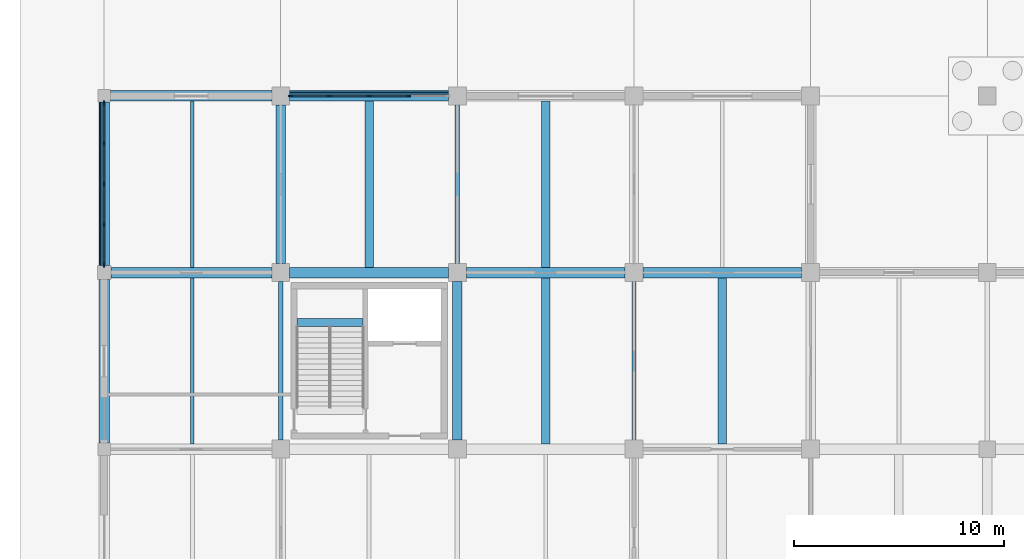
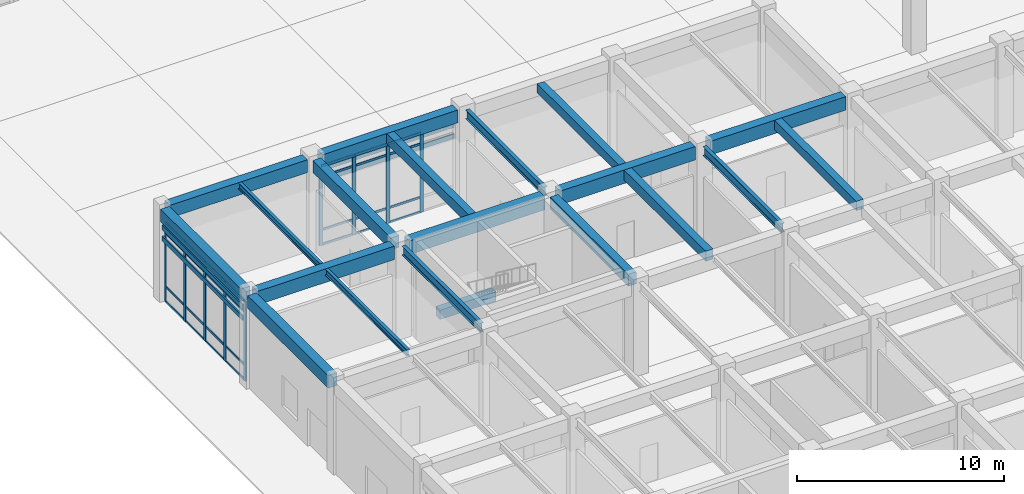
# One storey, part 14 of 91: 41 members, 20 beams, 2 elements without a shape of their own.
"""IFC4 building model written with IfcOpenShell, lengths in metres."""

from ifc_helpers import new_model, si_unit, direction, frame, origin, origin_2d, place, context, subcontext, project, spatial, rectangle, i_section, extrude, material, layer, layer_set, material_profile, profile_set, type_object, element, aggregate, save


model = new_model("IFC4")

# Units and contexts
model_context = context("Model", 3, precision=1e-05, world=origin(), true_north=direction((0.0, 1.0)))
body_context = subcontext(model_context, "Body", "Model", "MODEL_VIEW")
ifc_project = project(units=[si_unit("LENGTHUNIT", "METRE"), si_unit("AREAUNIT", "SQUARE_METRE"), si_unit("VOLUMEUNIT", "CUBIC_METRE"), si_unit("PLANEANGLEUNIT", "RADIAN"), si_unit("MASSUNIT", "GRAM", prefix="KILO")], contexts=[model_context])

# Site, building, storey
site_placement = place(None, origin())
site = spatial("IfcSite", under=ifc_project, at=site_placement, CompositionType="ELEMENT")
building_placement = place(site_placement, origin())
building = spatial("IfcBuilding", under=site, at=building_placement, Name="Porcellanite Civic Hall", CompositionType="ELEMENT")
storey_placement = place(building_placement, origin())
storey = spatial("IfcBuildingStorey", under=building, at=storey_placement, Name="L00", CompositionType="ELEMENT", Elevation=0.0)

# Beams
ifc_material_1 = material(Name="Concrete N50 (50 MPa)", Category="concrete")
ifc_material_profile_1 = material_profile(ifc_material_1, rectangle(XDim=0.39990234375, YDim=0.550048828125, at=origin_2d()), Name="RC-400x550")
ifc_profile_set_1 = profile_set([ifc_material_profile_1], Name="Concrete N50 (50 MPa)")
beam_type_1 = type_object("IfcBeamType", Name="BM-RC550", PredefinedType="JOIST", material=ifc_profile_set_1)
beam_1_placement = place(storey_placement, frame((21.0, 67.449462890625, 5.22509765625), z_axis=(0.0, 1.0, 0.0), x_axis=(-1.0, 0.0, 0.0)))
element("IfcBeam", 1, at=beam_1_placement, inside=storey, type_object=beam_type_1, Name="Secondary joist L00 3-9", PredefinedType="JOIST", context=body_context, shape_type="SweptSolid", body=[
    extrude(rectangle(XDim=0.39990234375, YDim=0.550048828125, at=origin_2d()), origin(), (0.0, 0.0, 1.0), 7.901123046875),
])
beam_2_placement = place(storey_placement, frame((29.39990234375, 59.049560546875, 5.22509765625), z_axis=(0.0, 1.0, 0.0), x_axis=(-1.0, 0.0, 0.0)))
element("IfcBeam", 2, at=beam_2_placement, inside=storey, type_object=beam_type_1, Name="Secondary joist L00 4-8", PredefinedType="JOIST", context=body_context, shape_type="SweptSolid", body=[
    extrude(rectangle(XDim=0.39990234375, YDim=0.550048828125, at=origin_2d()), origin(), (0.0, 0.0, 1.0), 7.90087890625),
])
beam_3_placement = place(storey_placement, frame((9.180419921875, 64.824951171875, 2.425048828125), z_axis=(1.0, 0.0, 0.0), x_axis=(0.0, 1.0, 0.0)))
element("IfcBeam", 3, at=beam_3_placement, inside=storey, type_object=beam_type_1, Name="Stair landing beam C2 L00", PredefinedType="JOIST", context=body_context, shape_type="SweptSolid", body=[
    extrude(rectangle(XDim=0.39990234375, YDim=0.550048828125, at=origin_2d()), origin(), (0.0, 0.0, 1.0), 3.13916015625),
])
ifc_material_2 = material(Name="Concrete N50 (50 MPa)", Category="concrete")
ifc_material_profile_2 = material_profile(ifc_material_2, rectangle(XDim=0.39990234375, YDim=0.60009765625, at=origin_2d()), Name="RC-400x600")
ifc_profile_set_2 = profile_set([ifc_material_profile_2], Name="Concrete N50 (50 MPa)")
beam_type_2 = type_object("IfcBeamType", Name="BM-RC600", PredefinedType="JOIST", material=ifc_profile_set_2)
beam_4_placement = place(storey_placement, frame((12.60009765625, 67.449462890625, 5.199951171875), z_axis=(0.0, 1.0, 0.0), x_axis=(-1.0, 0.0, 0.0)))
element("IfcBeam", 4, at=beam_4_placement, inside=storey, type_object=beam_type_2, Name="Secondary joist L00 2-9", PredefinedType="JOIST", context=body_context, shape_type="SweptSolid", body=[
    extrude(rectangle(XDim=0.39990234375, YDim=0.60009765625, at=origin_2d()), origin(), (0.0, 0.0, 1.0), 7.901123046875),
])
beam_5_placement = place(storey_placement, frame((21.0, 59.049560546875, 5.199951171875), z_axis=(0.0, 1.0, 0.0), x_axis=(-1.0, 0.0, 0.0)))
element("IfcBeam", 5, at=beam_5_placement, inside=storey, type_object=beam_type_2, Name="Secondary joist L00 3-8", PredefinedType="JOIST", context=body_context, shape_type="SweptSolid", body=[
    extrude(rectangle(XDim=0.39990234375, YDim=0.60009765625, at=origin_2d()), origin(), (0.0, 0.0, 1.0), 7.90087890625),
])
ifc_material_3 = material(Name="Concrete N50 (50 MPa)", Category="concrete")
ifc_material_profile_3 = material_profile(ifc_material_3, rectangle(XDim=0.449951171875, YDim=0.699951171875, at=origin_2d()), Name="RC-450x700")
ifc_profile_set_3 = profile_set([ifc_material_profile_3], Name="Concrete N50 (50 MPa)")
beam_type_3 = type_object("IfcBeamType", Name="BM-RC700", PredefinedType="BEAM", material=ifc_profile_set_3)
beam_6_placement = place(storey_placement, frame((8.39990234375, 67.62451171875, 5.14990234375), z_axis=(0.0, 1.0, 0.0), x_axis=(-1.0, 0.0, 0.0)))
element("IfcBeam", 6, at=beam_6_placement, inside=storey, type_object=beam_type_3, Name="Beam Y L00 2-9", PredefinedType="BEAM", context=body_context, shape_type="SweptSolid", body=[
    extrude(rectangle(XDim=0.449951171875, YDim=0.699951171875, at=origin_2d()), origin(), (0.0, 0.0, 1.0), 7.551025390625),
])
beam_7_placement = place(storey_placement, frame((16.800048828125, 59.224609375, 5.14990234375), z_axis=(0.0, 1.0, 0.0), x_axis=(-1.0, 0.0, 0.0)))
element("IfcBeam", 7, at=beam_7_placement, inside=storey, type_object=beam_type_3, Name="Beam Y L00 3-8", PredefinedType="BEAM", context=body_context, shape_type="SweptSolid", body=[
    extrude(rectangle(XDim=0.449951171875, YDim=0.699951171875, at=origin_2d()), origin(), (0.0, 0.0, 1.0), 7.55078125),
])
ifc_material_4 = material(Name="Concrete N50 (50 MPa)", Category="concrete")
ifc_material_profile_4 = material_profile(ifc_material_4, rectangle(XDim=0.5, YDim=0.75, at=origin_2d()), Name="RC-500x750")
ifc_profile_set_4 = profile_set([ifc_material_profile_4], Name="Concrete N50 (50 MPa)")
beam_type_4 = type_object("IfcBeamType", Name="BM-RC750", PredefinedType="SPANDREL", material=ifc_profile_set_4)
beam_8_placement = place(storey_placement, frame((0.299560546875, 75.60009765625, 5.125), z_axis=(1.0, 0.0, 0.0), x_axis=(0.0, 1.0, 0.0)))
element("IfcBeam", 8, at=beam_8_placement, inside=storey, type_object=beam_type_4, Name="Beam X L00 1-10", PredefinedType="SPANDREL", context=body_context, shape_type="SweptSolid", body=[
    extrude(rectangle(XDim=0.5, YDim=0.75, at=origin_2d()), origin(), (0.0, 0.0, 1.0), 7.676025390625),
])
beam_9_placement = place(storey_placement, frame((8.824462890625, 75.60009765625, 5.125), z_axis=(1.0, 0.0, 0.0), x_axis=(0.0, 1.0, 0.0)))
element("IfcBeam", 9, at=beam_9_placement, inside=storey, type_object=beam_type_4, Name="Beam X L00 2-10", PredefinedType="SPANDREL", context=body_context, shape_type="SweptSolid", body=[
    extrude(rectangle(XDim=0.5, YDim=0.75, at=origin_2d()), origin(), (0.0, 0.0, 1.0), 7.551025390625),
])
beam_10_placement = place(storey_placement, frame((0.0, 59.099609375, 5.125), z_axis=(0.0, 1.0, 0.0), x_axis=(-1.0, 0.0, 0.0)))
element("IfcBeam", 10, at=beam_10_placement, inside=storey, type_object=beam_type_4, Name="Beam Y L00 1-8", PredefinedType="SPANDREL", context=body_context, shape_type="SweptSolid", body=[
    extrude(rectangle(XDim=0.5, YDim=0.75, at=origin_2d()), origin(), (0.0, 0.0, 1.0), 7.77587890625),
])
beam_11_placement = place(storey_placement, frame((0.0, 67.5244140625, 5.125), z_axis=(0.0, 1.0, 0.0), x_axis=(-1.0, 0.0, 0.0)))
element("IfcBeam", 11, at=beam_11_placement, inside=storey, type_object=beam_type_4, Name="Beam Y L00 1-9", PredefinedType="SPANDREL", context=body_context, shape_type="SweptSolid", body=[
    extrude(rectangle(XDim=0.5, YDim=0.75, at=origin_2d()), origin(), (0.0, 0.0, 1.0), 7.776123046875),
])
ifc_material_5 = material(Name="Concrete N50 (50 MPa)", Category="concrete")
ifc_material_profile_5 = material_profile(ifc_material_5, rectangle(XDim=0.5, YDim=0.800048828125, at=origin_2d()), Name="RC-500x800")
ifc_profile_set_5 = profile_set([ifc_material_profile_5], Name="Concrete N50 (50 MPa)")
beam_type_5 = type_object("IfcBeamType", Name="BM-RC800", PredefinedType="BEAM", material=ifc_profile_set_5)
beam_12_placement = place(storey_placement, frame((0.324462890625, 67.199951171875, 5.10009765625), z_axis=(1.0, 0.0, 0.0), x_axis=(0.0, 1.0, 0.0)))
element("IfcBeam", 12, at=beam_12_placement, inside=storey, type_object=beam_type_5, Name="Beam X L00 1-9", PredefinedType="BEAM", context=body_context, shape_type="SweptSolid", body=[
    extrude(rectangle(XDim=0.5, YDim=0.800048828125, at=origin_2d()), origin(), (0.0, 0.0, 1.0), 7.651123046875),
])
beam_13_placement = place(storey_placement, frame((8.824462890625, 67.199951171875, 5.10009765625), z_axis=(1.0, 0.0, 0.0), x_axis=(0.0, 1.0, 0.0)))
element("IfcBeam", 13, at=beam_13_placement, inside=storey, type_object=beam_type_5, Name="Beam X L00 2-9", PredefinedType="BEAM", context=body_context, shape_type="SweptSolid", body=[
    extrude(rectangle(XDim=0.5, YDim=0.800048828125, at=origin_2d()), origin(), (0.0, 0.0, 1.0), 7.551025390625),
])
beam_14_placement = place(storey_placement, frame((17.224609375, 67.199951171875, 5.10009765625), z_axis=(1.0, 0.0, 0.0), x_axis=(0.0, 1.0, 0.0)))
element("IfcBeam", 14, at=beam_14_placement, inside=storey, type_object=beam_type_5, Name="Beam X L00 3-9", PredefinedType="BEAM", context=body_context, shape_type="SweptSolid", body=[
    extrude(rectangle(XDim=0.5, YDim=0.800048828125, at=origin_2d()), origin(), (0.0, 0.0, 1.0), 7.55078125),
])
beam_15_placement = place(storey_placement, frame((25.62451171875, 67.199951171875, 5.10009765625), z_axis=(1.0, 0.0, 0.0), x_axis=(0.0, 1.0, 0.0)))
element("IfcBeam", 15, at=beam_15_placement, inside=storey, type_object=beam_type_5, Name="Beam X L00 4-9", PredefinedType="BEAM", context=body_context, shape_type="SweptSolid", body=[
    extrude(rectangle(XDim=0.5, YDim=0.800048828125, at=origin_2d()), origin(), (0.0, 0.0, 1.0), 7.551025390625),
])

# Curtain wall, members
ifc_material_6 = material(Name="Anodised aluminium and solar laminated glass", Category="aluminium")
ifc_layer = layer(ifc_material_6, 0.179931640625)
ifc_layer_set = layer_set([ifc_layer], Name="Anodised aluminium and solar laminated glass")
curtain_wall_type = type_object("IfcCurtainWallType", Name="CW-SYS05", PredefinedType="NOTDEFINED", material=ifc_layer_set)
curtain_wall_1_placement = place(storey_placement, origin())
curtain_wall_1 = element("IfcCurtainWall", 16, at=curtain_wall_1_placement, inside=storey, type_object=curtain_wall_type, Name="Curtain wall CW-004", PredefinedType="NOTDEFINED")
ifc_material_7 = material(Name="Anodised aluminium 6063-T6", Category="aluminium")
ifc_material_profile_6 = material_profile(ifc_material_7, rectangle(XDim=0.070068359375, YDim=0.199951171875, at=origin_2d()), Name="AL-70x200")
ifc_profile_set_6 = profile_set([ifc_material_profile_6], Name="Anodised aluminium 6063-T6")
member_type_1 = type_object("IfcMemberType", Name="CWM-05", PredefinedType="MULLION", material=ifc_profile_set_6)
member_1_placement = place(storey_placement, frame((0.0, 67.56103515625, 0.0), z_axis=(0.0, 0.0, 1.0), x_axis=(-1.0, 0.0, 0.0)))
member_1 = element("IfcMember", 17, at=member_1_placement, type_object=member_type_1, Name="CW-004 mullion 1", PredefinedType="MULLION", context=body_context, shape_type="SweptSolid", body=[
    extrude(rectangle(XDim=0.070068359375, YDim=0.199951171875, at=origin_2d()), origin(), (0.0, 0.0, 1.0), 4.699951171875),
])
member_2_placement = place(storey_placement, frame((0.0, 69.46923828125, 0.0), z_axis=(0.0, 0.0, 1.0), x_axis=(-1.0, 0.0, 0.0)))
member_2 = element("IfcMember", 18, at=member_2_placement, type_object=member_type_1, Name="CW-004 mullion 2", PredefinedType="MULLION", context=body_context, shape_type="SweptSolid", body=[
    extrude(rectangle(XDim=0.070068359375, YDim=0.199951171875, at=origin_2d()), origin(), (0.0, 0.0, 1.0), 4.699951171875),
])
member_3_placement = place(storey_placement, frame((0.0, 71.41259765625, 0.0), z_axis=(0.0, 0.0, 1.0), x_axis=(-1.0, 0.0, 0.0)))
member_3 = element("IfcMember", 19, at=member_3_placement, type_object=member_type_1, Name="CW-004 mullion 3", PredefinedType="MULLION", context=body_context, shape_type="SweptSolid", body=[
    extrude(rectangle(XDim=0.070068359375, YDim=0.199951171875, at=origin_2d()), origin(), (0.0, 0.0, 1.0), 4.699951171875),
])
member_4_placement = place(storey_placement, frame((0.0, 73.355712890625, 0.0), z_axis=(0.0, 0.0, 1.0), x_axis=(-1.0, 0.0, 0.0)))
member_4 = element("IfcMember", 20, at=member_4_placement, type_object=member_type_1, Name="CW-004 mullion 4", PredefinedType="MULLION", context=body_context, shape_type="SweptSolid", body=[
    extrude(rectangle(XDim=0.070068359375, YDim=0.199951171875, at=origin_2d()), origin(), (0.0, 0.0, 1.0), 4.699951171875),
])
member_5_placement = place(storey_placement, frame((0.0, 75.263916015625, 0.0), z_axis=(0.0, 0.0, 1.0), x_axis=(-1.0, 0.0, 0.0)))
member_5 = element("IfcMember", 21, at=member_5_placement, type_object=member_type_1, Name="CW-004 mullion 5", PredefinedType="MULLION", context=body_context, shape_type="SweptSolid", body=[
    extrude(rectangle(XDim=0.070068359375, YDim=0.199951171875, at=origin_2d()), origin(), (0.0, 0.0, 1.0), 4.699951171875),
])

curtain_wall_2_placement = place(storey_placement, origin())
curtain_wall_2 = element("IfcCurtainWall", 22, at=curtain_wall_2_placement, inside=storey, type_object=curtain_wall_type, Name="Curtain wall CW-007", PredefinedType="NOTDEFINED")
member_6_placement = place(storey_placement, frame((8.861083984375, 75.60009765625, 0.0), z_axis=(0.0, 0.0, 1.0), x_axis=(0.0, 1.0, 0.0)))
member_6 = element("IfcMember", 23, at=member_6_placement, type_object=member_type_1, Name="CW-007 mullion 1", PredefinedType="MULLION", context=body_context, shape_type="SweptSolid", body=[
    extrude(rectangle(XDim=0.070068359375, YDim=0.199951171875, at=origin_2d()), origin(), (0.0, 0.0, 1.0), 4.699951171875),
])
member_7_placement = place(storey_placement, frame((10.712890625, 75.60009765625, 0.0), z_axis=(0.0, 0.0, 1.0), x_axis=(0.0, 1.0, 0.0)))
member_7 = element("IfcMember", 24, at=member_7_placement, type_object=member_type_1, Name="CW-007 mullion 2", PredefinedType="MULLION", context=body_context, shape_type="SweptSolid", body=[
    extrude(rectangle(XDim=0.070068359375, YDim=0.199951171875, at=origin_2d()), origin(), (0.0, 0.0, 1.0), 4.699951171875),
])
member_8_placement = place(storey_placement, frame((12.60009765625, 75.60009765625, 0.0), z_axis=(0.0, 0.0, 1.0), x_axis=(0.0, 1.0, 0.0)))
member_8 = element("IfcMember", 25, at=member_8_placement, type_object=member_type_1, Name="CW-007 mullion 3", PredefinedType="MULLION", context=body_context, shape_type="SweptSolid", body=[
    extrude(rectangle(XDim=0.070068359375, YDim=0.199951171875, at=origin_2d()), origin(), (0.0, 0.0, 1.0), 4.699951171875),
])
member_9_placement = place(storey_placement, frame((14.487060546875, 75.60009765625, 0.0), z_axis=(0.0, 0.0, 1.0), x_axis=(0.0, 1.0, 0.0)))
member_9 = element("IfcMember", 26, at=member_9_placement, type_object=member_type_1, Name="CW-007 mullion 4", PredefinedType="MULLION", context=body_context, shape_type="SweptSolid", body=[
    extrude(rectangle(XDim=0.070068359375, YDim=0.199951171875, at=origin_2d()), origin(), (0.0, 0.0, 1.0), 4.699951171875),
])

# Member
ifc_material_8 = material(Name="Anodised aluminium 6063-T6", Category="aluminium")
ifc_material_profile_7 = material_profile(ifc_material_8, rectangle(XDim=0.06005859375, YDim=0.1298828125, at=origin_2d()), Name="AL-60x130")
ifc_profile_set_7 = profile_set([ifc_material_profile_7], Name="Anodised aluminium 6063-T6")
member_type_2 = type_object("IfcMemberType", Name="CWT-03", PredefinedType="USERDEFINED", material=ifc_profile_set_7)
member_10_placement = place(storey_placement, frame((0.0, 67.595947265625, 0.030029296875), z_axis=(0.0, 1.0, 0.0), x_axis=(-1.0, 0.0, 0.0)))
member_10 = element("IfcMember", 27, at=member_10_placement, type_object=member_type_2, Name="CW-004 transom 1.1", ObjectType="TRANSOM", PredefinedType="USERDEFINED", context=body_context, shape_type="SweptSolid", body=[
    extrude(rectangle(XDim=0.06005859375, YDim=0.1298828125, at=origin_2d()), origin(), (0.0, 0.0, 1.0), 1.83837890625),
])

member_11_placement = place(storey_placement, frame((0.0, 67.595947265625, 0.89990234375), z_axis=(0.0, 1.0, 0.0), x_axis=(-1.0, 0.0, 0.0)))
member_11 = element("IfcMember", 28, at=member_11_placement, type_object=member_type_2, Name="CW-004 transom 1.2", ObjectType="TRANSOM", PredefinedType="USERDEFINED", context=body_context, shape_type="SweptSolid", body=[
    extrude(rectangle(XDim=0.06005859375, YDim=0.1298828125, at=origin_2d()), origin(), (0.0, 0.0, 1.0), 1.83837890625),
])

member_12_placement = place(storey_placement, frame((0.0, 67.595947265625, 4.050048828125), z_axis=(0.0, 1.0, 0.0), x_axis=(-1.0, 0.0, 0.0)))
member_12 = element("IfcMember", 29, at=member_12_placement, type_object=member_type_2, Name="CW-004 transom 1.3", ObjectType="TRANSOM", PredefinedType="USERDEFINED", context=body_context, shape_type="SweptSolid", body=[
    extrude(rectangle(XDim=0.06005859375, YDim=0.1298828125, at=origin_2d()), origin(), (0.0, 0.0, 1.0), 1.83837890625),
])

member_13_placement = place(storey_placement, frame((0.0, 67.595947265625, 4.669921875), z_axis=(0.0, 1.0, 0.0), x_axis=(-1.0, 0.0, 0.0)))
member_13 = element("IfcMember", 30, at=member_13_placement, type_object=member_type_2, Name="CW-004 transom 1.4", ObjectType="TRANSOM", PredefinedType="USERDEFINED", context=body_context, shape_type="SweptSolid", body=[
    extrude(rectangle(XDim=0.06005859375, YDim=0.1298828125, at=origin_2d()), origin(), (0.0, 0.0, 1.0), 1.83837890625),
])

member_14_placement = place(storey_placement, frame((0.0, 69.504150390625, 0.030029296875), z_axis=(0.0, 1.0, 0.0), x_axis=(-1.0, 0.0, 0.0)))
member_14 = element("IfcMember", 31, at=member_14_placement, type_object=member_type_2, Name="CW-004 transom 2.1", ObjectType="TRANSOM", PredefinedType="USERDEFINED", context=body_context, shape_type="SweptSolid", body=[
    extrude(rectangle(XDim=0.06005859375, YDim=0.1298828125, at=origin_2d()), origin(), (0.0, 0.0, 1.0), 1.873291015625),
])

member_15_placement = place(storey_placement, frame((0.0, 69.504150390625, 0.89990234375), z_axis=(0.0, 1.0, 0.0), x_axis=(-1.0, 0.0, 0.0)))
member_15 = element("IfcMember", 32, at=member_15_placement, type_object=member_type_2, Name="CW-004 transom 2.2", ObjectType="TRANSOM", PredefinedType="USERDEFINED", context=body_context, shape_type="SweptSolid", body=[
    extrude(rectangle(XDim=0.06005859375, YDim=0.1298828125, at=origin_2d()), origin(), (0.0, 0.0, 1.0), 1.873291015625),
])

member_16_placement = place(storey_placement, frame((0.0, 69.504150390625, 4.050048828125), z_axis=(0.0, 1.0, 0.0), x_axis=(-1.0, 0.0, 0.0)))
member_16 = element("IfcMember", 33, at=member_16_placement, type_object=member_type_2, Name="CW-004 transom 2.3", ObjectType="TRANSOM", PredefinedType="USERDEFINED", context=body_context, shape_type="SweptSolid", body=[
    extrude(rectangle(XDim=0.06005859375, YDim=0.1298828125, at=origin_2d()), origin(), (0.0, 0.0, 1.0), 1.873291015625),
])

member_17_placement = place(storey_placement, frame((0.0, 69.504150390625, 4.669921875), z_axis=(0.0, 1.0, 0.0), x_axis=(-1.0, 0.0, 0.0)))
member_17 = element("IfcMember", 34, at=member_17_placement, type_object=member_type_2, Name="CW-004 transom 2.4", ObjectType="TRANSOM", PredefinedType="USERDEFINED", context=body_context, shape_type="SweptSolid", body=[
    extrude(rectangle(XDim=0.06005859375, YDim=0.1298828125, at=origin_2d()), origin(), (0.0, 0.0, 1.0), 1.873291015625),
])

member_18_placement = place(storey_placement, frame((0.0, 71.447509765625, 0.030029296875), z_axis=(0.0, 1.0, 0.0), x_axis=(-1.0, 0.0, 0.0)))
member_18 = element("IfcMember", 35, at=member_18_placement, type_object=member_type_2, Name="CW-004 transom 3.1", ObjectType="TRANSOM", PredefinedType="USERDEFINED", context=body_context, shape_type="SweptSolid", body=[
    extrude(rectangle(XDim=0.06005859375, YDim=0.1298828125, at=origin_2d()), origin(), (0.0, 0.0, 1.0), 1.873291015625),
])

member_19_placement = place(storey_placement, frame((0.0, 71.447509765625, 0.89990234375), z_axis=(0.0, 1.0, 0.0), x_axis=(-1.0, 0.0, 0.0)))
member_19 = element("IfcMember", 36, at=member_19_placement, type_object=member_type_2, Name="CW-004 transom 3.2", ObjectType="TRANSOM", PredefinedType="USERDEFINED", context=body_context, shape_type="SweptSolid", body=[
    extrude(rectangle(XDim=0.06005859375, YDim=0.1298828125, at=origin_2d()), origin(), (0.0, 0.0, 1.0), 1.873291015625),
])

member_20_placement = place(storey_placement, frame((0.0, 71.447509765625, 4.050048828125), z_axis=(0.0, 1.0, 0.0), x_axis=(-1.0, 0.0, 0.0)))
member_20 = element("IfcMember", 37, at=member_20_placement, type_object=member_type_2, Name="CW-004 transom 3.3", ObjectType="TRANSOM", PredefinedType="USERDEFINED", context=body_context, shape_type="SweptSolid", body=[
    extrude(rectangle(XDim=0.06005859375, YDim=0.1298828125, at=origin_2d()), origin(), (0.0, 0.0, 1.0), 1.873291015625),
])

member_21_placement = place(storey_placement, frame((0.0, 71.447509765625, 4.669921875), z_axis=(0.0, 1.0, 0.0), x_axis=(-1.0, 0.0, 0.0)))
member_21 = element("IfcMember", 38, at=member_21_placement, type_object=member_type_2, Name="CW-004 transom 3.4", ObjectType="TRANSOM", PredefinedType="USERDEFINED", context=body_context, shape_type="SweptSolid", body=[
    extrude(rectangle(XDim=0.06005859375, YDim=0.1298828125, at=origin_2d()), origin(), (0.0, 0.0, 1.0), 1.873291015625),
])

member_22_placement = place(storey_placement, frame((0.0, 73.390869140625, 0.030029296875), z_axis=(0.0, 1.0, 0.0), x_axis=(-1.0, 0.0, 0.0)))
member_22 = element("IfcMember", 39, at=member_22_placement, type_object=member_type_2, Name="CW-004 transom 4.1", ObjectType="TRANSOM", PredefinedType="USERDEFINED", context=body_context, shape_type="SweptSolid", body=[
    extrude(rectangle(XDim=0.06005859375, YDim=0.1298828125, at=origin_2d()), origin(), (0.0, 0.0, 1.0), 1.838134765625),
])

member_23_placement = place(storey_placement, frame((0.0, 73.390869140625, 0.89990234375), z_axis=(0.0, 1.0, 0.0), x_axis=(-1.0, 0.0, 0.0)))
member_23 = element("IfcMember", 40, at=member_23_placement, type_object=member_type_2, Name="CW-004 transom 4.2", ObjectType="TRANSOM", PredefinedType="USERDEFINED", context=body_context, shape_type="SweptSolid", body=[
    extrude(rectangle(XDim=0.06005859375, YDim=0.1298828125, at=origin_2d()), origin(), (0.0, 0.0, 1.0), 1.838134765625),
])

member_24_placement = place(storey_placement, frame((0.0, 73.390869140625, 4.050048828125), z_axis=(0.0, 1.0, 0.0), x_axis=(-1.0, 0.0, 0.0)))
member_24 = element("IfcMember", 41, at=member_24_placement, type_object=member_type_2, Name="CW-004 transom 4.3", ObjectType="TRANSOM", PredefinedType="USERDEFINED", context=body_context, shape_type="SweptSolid", body=[
    extrude(rectangle(XDim=0.06005859375, YDim=0.1298828125, at=origin_2d()), origin(), (0.0, 0.0, 1.0), 1.838134765625),
])

member_25_placement = place(storey_placement, frame((0.0, 73.390869140625, 4.669921875), z_axis=(0.0, 1.0, 0.0), x_axis=(-1.0, 0.0, 0.0)))
member_25 = element("IfcMember", 42, at=member_25_placement, type_object=member_type_2, Name="CW-004 transom 4.4", ObjectType="TRANSOM", PredefinedType="USERDEFINED", context=body_context, shape_type="SweptSolid", body=[
    extrude(rectangle(XDim=0.06005859375, YDim=0.1298828125, at=origin_2d()), origin(), (0.0, 0.0, 1.0), 1.838134765625),
])

aggregate(curtain_wall_1, [member_1, member_2, member_3, member_4, member_5, member_10, member_11, member_12, member_13, member_14, member_15, member_16, member_17, member_18, member_19, member_20, member_21, member_22, member_23, member_24, member_25])

member_26_placement = place(storey_placement, frame((8.89599609375, 75.60009765625, 0.030029296875), z_axis=(1.0, 0.0, 0.0), x_axis=(0.0, 1.0, 0.0)))
member_26 = element("IfcMember", 43, at=member_26_placement, type_object=member_type_2, Name="CW-007 transom 1.1", ObjectType="TRANSOM", PredefinedType="USERDEFINED", context=body_context, shape_type="SweptSolid", body=[
    extrude(rectangle(XDim=0.06005859375, YDim=0.1298828125, at=origin_2d()), origin(), (0.0, 0.0, 1.0), 1.781982421875),
])

member_27_placement = place(storey_placement, frame((8.89599609375, 75.60009765625, 0.89990234375), z_axis=(1.0, 0.0, 0.0), x_axis=(0.0, 1.0, 0.0)))
member_27 = element("IfcMember", 44, at=member_27_placement, type_object=member_type_2, Name="CW-007 transom 1.2", ObjectType="TRANSOM", PredefinedType="USERDEFINED", context=body_context, shape_type="SweptSolid", body=[
    extrude(rectangle(XDim=0.06005859375, YDim=0.1298828125, at=origin_2d()), origin(), (0.0, 0.0, 1.0), 1.781982421875),
])

member_28_placement = place(storey_placement, frame((8.89599609375, 75.60009765625, 4.050048828125), z_axis=(1.0, 0.0, 0.0), x_axis=(0.0, 1.0, 0.0)))
member_28 = element("IfcMember", 45, at=member_28_placement, type_object=member_type_2, Name="CW-007 transom 1.3", ObjectType="TRANSOM", PredefinedType="USERDEFINED", context=body_context, shape_type="SweptSolid", body=[
    extrude(rectangle(XDim=0.06005859375, YDim=0.1298828125, at=origin_2d()), origin(), (0.0, 0.0, 1.0), 1.781982421875),
])

member_29_placement = place(storey_placement, frame((8.89599609375, 75.60009765625, 4.669921875), z_axis=(1.0, 0.0, 0.0), x_axis=(0.0, 1.0, 0.0)))
member_29 = element("IfcMember", 46, at=member_29_placement, type_object=member_type_2, Name="CW-007 transom 1.4", ObjectType="TRANSOM", PredefinedType="USERDEFINED", context=body_context, shape_type="SweptSolid", body=[
    extrude(rectangle(XDim=0.06005859375, YDim=0.1298828125, at=origin_2d()), origin(), (0.0, 0.0, 1.0), 1.781982421875),
])

member_30_placement = place(storey_placement, frame((10.748046875, 75.60009765625, 0.030029296875), z_axis=(1.0, 0.0, 0.0), x_axis=(0.0, 1.0, 0.0)))
member_30 = element("IfcMember", 47, at=member_30_placement, type_object=member_type_2, Name="CW-007 transom 2.1", ObjectType="TRANSOM", PredefinedType="USERDEFINED", context=body_context, shape_type="SweptSolid", body=[
    extrude(rectangle(XDim=0.06005859375, YDim=0.1298828125, at=origin_2d()), origin(), (0.0, 0.0, 1.0), 1.81689453125),
])

member_31_placement = place(storey_placement, frame((10.748046875, 75.60009765625, 0.89990234375), z_axis=(1.0, 0.0, 0.0), x_axis=(0.0, 1.0, 0.0)))
member_31 = element("IfcMember", 48, at=member_31_placement, type_object=member_type_2, Name="CW-007 transom 2.2", ObjectType="TRANSOM", PredefinedType="USERDEFINED", context=body_context, shape_type="SweptSolid", body=[
    extrude(rectangle(XDim=0.06005859375, YDim=0.1298828125, at=origin_2d()), origin(), (0.0, 0.0, 1.0), 1.81689453125),
])

member_32_placement = place(storey_placement, frame((10.748046875, 75.60009765625, 4.050048828125), z_axis=(1.0, 0.0, 0.0), x_axis=(0.0, 1.0, 0.0)))
member_32 = element("IfcMember", 49, at=member_32_placement, type_object=member_type_2, Name="CW-007 transom 2.3", ObjectType="TRANSOM", PredefinedType="USERDEFINED", context=body_context, shape_type="SweptSolid", body=[
    extrude(rectangle(XDim=0.06005859375, YDim=0.1298828125, at=origin_2d()), origin(), (0.0, 0.0, 1.0), 1.81689453125),
])

member_33_placement = place(storey_placement, frame((10.748046875, 75.60009765625, 4.669921875), z_axis=(1.0, 0.0, 0.0), x_axis=(0.0, 1.0, 0.0)))
member_33 = element("IfcMember", 50, at=member_33_placement, type_object=member_type_2, Name="CW-007 transom 2.4", ObjectType="TRANSOM", PredefinedType="USERDEFINED", context=body_context, shape_type="SweptSolid", body=[
    extrude(rectangle(XDim=0.06005859375, YDim=0.1298828125, at=origin_2d()), origin(), (0.0, 0.0, 1.0), 1.81689453125),
])

member_34_placement = place(storey_placement, frame((12.635009765625, 75.60009765625, 0.030029296875), z_axis=(1.0, 0.0, 0.0), x_axis=(0.0, 1.0, 0.0)))
member_34 = element("IfcMember", 51, at=member_34_placement, type_object=member_type_2, Name="CW-007 transom 3.1", ObjectType="TRANSOM", PredefinedType="USERDEFINED", context=body_context, shape_type="SweptSolid", body=[
    extrude(rectangle(XDim=0.06005859375, YDim=0.1298828125, at=origin_2d()), origin(), (0.0, 0.0, 1.0), 1.81689453125),
])

member_35_placement = place(storey_placement, frame((12.635009765625, 75.60009765625, 0.89990234375), z_axis=(1.0, 0.0, 0.0), x_axis=(0.0, 1.0, 0.0)))
member_35 = element("IfcMember", 52, at=member_35_placement, type_object=member_type_2, Name="CW-007 transom 3.2", ObjectType="TRANSOM", PredefinedType="USERDEFINED", context=body_context, shape_type="SweptSolid", body=[
    extrude(rectangle(XDim=0.06005859375, YDim=0.1298828125, at=origin_2d()), origin(), (0.0, 0.0, 1.0), 1.81689453125),
])

member_36_placement = place(storey_placement, frame((12.635009765625, 75.60009765625, 4.050048828125), z_axis=(1.0, 0.0, 0.0), x_axis=(0.0, 1.0, 0.0)))
member_36 = element("IfcMember", 53, at=member_36_placement, type_object=member_type_2, Name="CW-007 transom 3.3", ObjectType="TRANSOM", PredefinedType="USERDEFINED", context=body_context, shape_type="SweptSolid", body=[
    extrude(rectangle(XDim=0.06005859375, YDim=0.1298828125, at=origin_2d()), origin(), (0.0, 0.0, 1.0), 1.81689453125),
])

member_37_placement = place(storey_placement, frame((12.635009765625, 75.60009765625, 4.669921875), z_axis=(1.0, 0.0, 0.0), x_axis=(0.0, 1.0, 0.0)))
member_37 = element("IfcMember", 54, at=member_37_placement, type_object=member_type_2, Name="CW-007 transom 3.4", ObjectType="TRANSOM", PredefinedType="USERDEFINED", context=body_context, shape_type="SweptSolid", body=[
    extrude(rectangle(XDim=0.06005859375, YDim=0.1298828125, at=origin_2d()), origin(), (0.0, 0.0, 1.0), 1.81689453125),
])

aggregate(curtain_wall_2, [member_6, member_7, member_8, member_9, member_26, member_27, member_28, member_29, member_30, member_31, member_32, member_33, member_34, member_35, member_36, member_37])

# Beams
ifc_material_9 = material(Name="Steel Grade 350", Category="steel")
ifc_material_profile_8 = material_profile(ifc_material_9, i_section(OverallWidth=0.1708984375, OverallDepth=0.35595703125, WebThickness=0.00732421875, FlangeThickness=0.011474609375, FilletRadius=0.011474609375, at=origin_2d()), Name="360UB50.7")
ifc_profile_set_8 = profile_set([ifc_material_profile_8], Name="Steel Grade 350")
beam_type_6 = type_object("IfcBeamType", Name="JST-360UB51", PredefinedType="JOIST", material=ifc_profile_set_8)
beam_16_placement = place(storey_placement, frame((4.199951171875, 67.449462890625, 5.322021484375), z_axis=(0.0, 1.0, 0.0), x_axis=(-1.0, 0.0, 0.0)))
element("IfcBeam", 55, at=beam_16_placement, inside=storey, type_object=beam_type_6, Name="Secondary joist L00 1-9", PredefinedType="JOIST", context=body_context, shape_type="SweptSolid", body=[
    extrude(i_section(OverallWidth=0.1708984375, OverallDepth=0.35595703125, WebThickness=0.00732421875, FlangeThickness=0.011474609375, FilletRadius=0.011474609375, at=origin_2d()), origin(), (0.0, 0.0, 1.0), 7.901123046875),
])
ifc_material_10 = material(Name="Steel Grade 350", Category="steel")
ifc_material_profile_9 = material_profile(ifc_material_10, i_section(OverallWidth=0.172119140625, OverallDepth=0.35888671875, WebThickness=0.008056640625, FlangeThickness=0.012939453125, FilletRadius=0.011474609375, at=origin_2d()), Name="360UB56.7")
ifc_profile_set_9 = profile_set([ifc_material_profile_9], Name="Steel Grade 350")
beam_type_7 = type_object("IfcBeamType", Name="JST-360UB57", PredefinedType="JOIST", material=ifc_profile_set_9)
beam_17_placement = place(storey_placement, frame((4.199951171875, 59.049560546875, 5.320556640625), z_axis=(0.0, 1.0, 0.0), x_axis=(-1.0, 0.0, 0.0)))
element("IfcBeam", 56, at=beam_17_placement, inside=storey, type_object=beam_type_7, Name="Secondary joist L00 1-8", PredefinedType="JOIST", context=body_context, shape_type="SweptSolid", body=[
    extrude(i_section(OverallWidth=0.172119140625, OverallDepth=0.35888671875, WebThickness=0.008056640625, FlangeThickness=0.012939453125, FilletRadius=0.011474609375, at=origin_2d()), origin(), (0.0, 0.0, 1.0), 7.90087890625),
])

# Members
ifc_material_11 = material(Name="Fluoropolymer bauxite-red aluminium 6063-T6", Category="aluminium")
ifc_material_profile_10 = material_profile(ifc_material_11, rectangle(XDim=0.070068359375, YDim=0.280029296875, at=origin_2d()), Name="AL-70x280")
ifc_profile_set_10 = profile_set([ifc_material_profile_10], Name="Fluoropolymer bauxite-red aluminium 6063-T6")
member_type_3 = type_object("IfcMemberType", Name="LV-BLD05", PredefinedType="USERDEFINED", material=ifc_profile_set_10)
for number, where, z_axis, x_axis, name in (
    (57, (-0.136962890625, 67.5244140625, 4.39990234375), (0.0, 1.0, 0.0), (-1.0, 0.0, 0.0), "Cyclone sunshade louvre L00 W 0-8 1"),
    (58, (-0.136962890625, 67.5244140625, 3.75), (0.0, 1.0, 0.0), (-1.0, 0.0, 0.0), "Cyclone sunshade louvre L00 W 0-8 2"),
):
    element("IfcMember", number, at=place(storey_placement, frame(where, z_axis=z_axis, x_axis=x_axis)), inside=storey, type_object=member_type_3, Name=name, ObjectType="LOUVRE BLADE", PredefinedType="USERDEFINED", context=body_context, shape_type="SweptSolid", body=[
        extrude(rectangle(XDim=0.070068359375, YDim=0.280029296875, at=origin_2d()), origin(), (0.0, 0.0, 1.0), 7.776123046875),
    ])
for number, where, z_axis, x_axis, name in (
    (59, (8.824462890625, 75.737060546875, 4.39990234375), (1.0, 0.0, 0.0), (0.0, 1.0, 0.0), "Cyclone sunshade louvre L00 N 1-8 1"),
    (60, (8.824462890625, 75.737060546875, 3.75), (1.0, 0.0, 0.0), (0.0, 1.0, 0.0), "Cyclone sunshade louvre L00 N 1-8 2"),
):
    element("IfcMember", number, at=place(storey_placement, frame(where, z_axis=z_axis, x_axis=x_axis)), inside=storey, type_object=member_type_3, Name=name, ObjectType="LOUVRE BLADE", PredefinedType="USERDEFINED", context=body_context, shape_type="SweptSolid", body=[
        extrude(rectangle(XDim=0.070068359375, YDim=0.280029296875, at=origin_2d()), origin(), (0.0, 0.0, 1.0), 7.551025390625),
    ])

# Beams
ifc_material_12 = material(Name="Steel Grade 350", Category="steel")
ifc_material_profile_11 = material_profile(ifc_material_12, i_section(OverallWidth=0.208984375, OverallDepth=0.528076171875, WebThickness=0.009521484375, FlangeThickness=0.01318359375, FilletRadius=0.013916015625, at=origin_2d()), Name="530UB82.0")
ifc_profile_set_11 = profile_set([ifc_material_profile_11], Name="Steel Grade 350")
beam_type_8 = type_object("IfcBeamType", Name="RAF-530UB82", PredefinedType="BEAM", material=ifc_profile_set_11)
beam_18_placement = place(storey_placement, frame((8.39990234375, 59.224609375, 5.236083984375), z_axis=(0.0, 1.0, 0.0), x_axis=(-1.0, 0.0, 0.0)))
element("IfcBeam", 61, at=beam_18_placement, inside=storey, type_object=beam_type_8, Name="Beam Y L00 2-8", PredefinedType="BEAM", context=body_context, shape_type="SweptSolid", body=[
    extrude(i_section(OverallWidth=0.208984375, OverallDepth=0.528076171875, WebThickness=0.009521484375, FlangeThickness=0.01318359375, FilletRadius=0.013916015625, at=origin_2d()), origin(), (0.0, 0.0, 1.0), 7.55078125),
])
beam_19_placement = place(storey_placement, frame((16.800048828125, 67.62451171875, 5.236083984375), z_axis=(0.0, 1.0, 0.0), x_axis=(-1.0, 0.0, 0.0)))
element("IfcBeam", 62, at=beam_19_placement, inside=storey, type_object=beam_type_8, Name="Beam Y L00 3-9", PredefinedType="BEAM", context=body_context, shape_type="SweptSolid", body=[
    extrude(i_section(OverallWidth=0.208984375, OverallDepth=0.528076171875, WebThickness=0.009521484375, FlangeThickness=0.01318359375, FilletRadius=0.013916015625, at=origin_2d()), origin(), (0.0, 0.0, 1.0), 7.551025390625),
])
beam_20_placement = place(storey_placement, frame((25.199951171875, 59.224609375, 5.236083984375), z_axis=(0.0, 1.0, 0.0), x_axis=(-1.0, 0.0, 0.0)))
element("IfcBeam", 63, at=beam_20_placement, inside=storey, type_object=beam_type_8, Name="Beam Y L00 4-8", PredefinedType="BEAM", context=body_context, shape_type="SweptSolid", body=[
    extrude(i_section(OverallWidth=0.208984375, OverallDepth=0.528076171875, WebThickness=0.009521484375, FlangeThickness=0.01318359375, FilletRadius=0.013916015625, at=origin_2d()), origin(), (0.0, 0.0, 1.0), 7.55078125),
])

save(model, "model.ifc")
